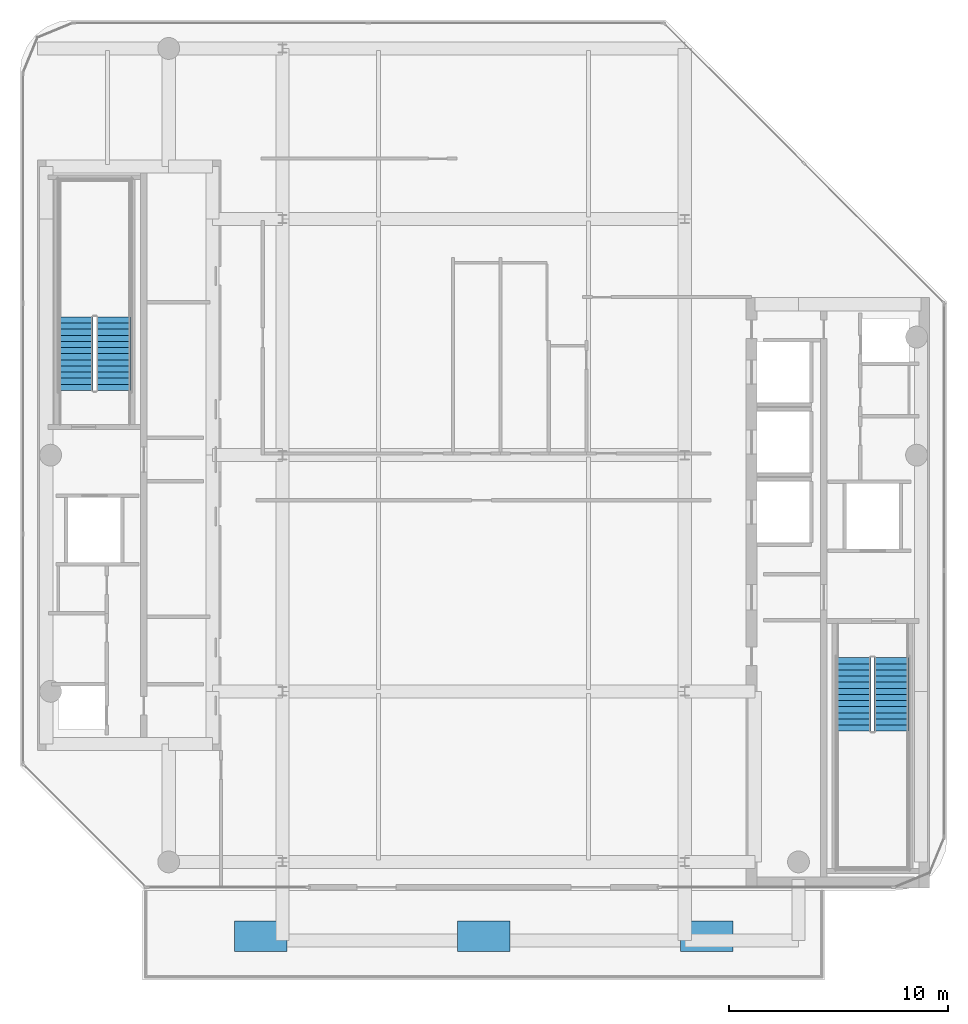
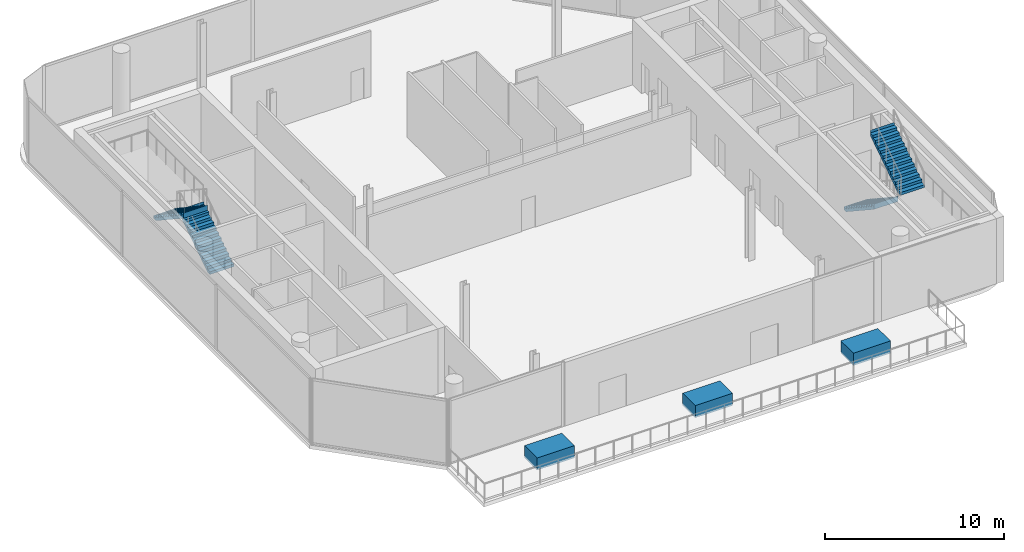
# One storey, part 6 of 14: 4 stair flights, 3 discrete accessories, 2 elements without a shape of their own.
"""IFC4 building model written with IfcOpenShell, lengths in metres."""

from ifc_helpers import new_model, si_unit, direction, frame, origin, origin_2d, place, context, subcontext, project, spatial, polyline, rectangle, outline, extrude, material, layer, layer_set, type_object, element, aggregate, save


model = new_model("IFC4")

# Units and contexts
model_context = context("Model", 3, precision=1e-05, world=origin(), true_north=direction((0.0, 1.0)))
body_context = subcontext(model_context, "Body", "Model", "MODEL_VIEW")
ifc_project = project(units=[si_unit("LENGTHUNIT", "METRE"), si_unit("AREAUNIT", "SQUARE_METRE"), si_unit("VOLUMEUNIT", "CUBIC_METRE"), si_unit("PLANEANGLEUNIT", "RADIAN"), si_unit("MASSUNIT", "GRAM", prefix="KILO")], contexts=[model_context])

# Site, building, storey
site_placement = place(None, origin())
site = spatial("IfcSite", under=ifc_project, at=site_placement, CompositionType="ELEMENT")
building_placement = place(site_placement, origin())
building = spatial("IfcBuilding", under=site, at=building_placement, Name="Khairoan Windgate Tower", CompositionType="ELEMENT")
storey_placement = place(building_placement, frame((0.0, 0.0, 320.39990234375)))
storey = spatial("IfcBuildingStorey", under=building, at=storey_placement, Name="L77", CompositionType="ELEMENT", Elevation=320.39990234375)

# Stair, stair flights
ifc_material_1 = material(Name="Concrete C40/50", Category="concrete")
stair_type = type_object("IfcStairType", Name="Tower Core Dog-Leg Stair ST-T1 1560mm", PredefinedType="HALF_TURN_STAIR", material=ifc_material_1)
stair_1_placement = place(storey_placement, origin())
stair_1 = element("IfcStair", 1, at=stair_1_placement, inside=storey, type_object=stair_type, Name="L77 Stair ST1", PredefinedType="HALF_TURN_STAIR")
ifc_material_2 = material(Name="Concrete C40/50", Category="concrete")
ifc_layer = layer(ifc_material_2, 0.14990234375, Name="Concrete C40/50")
ifc_layer_set = layer_set([ifc_layer], Name="Concrete C40/50")
stair_flight_type = type_object("IfcStairFlightType", Name="Tower Core Stair Flight STF-1560", PredefinedType="STRAIGHT", material=ifc_layer_set)
stair_flight_1_placement = place(storey_placement, frame((16.929931640625, -9.260009765625, 0.0), z_axis=(0.0, 0.0, 1.0), x_axis=(0.0, -1.0, 0.0)))
stair_flight_1 = element("IfcStairFlight", 2, at=stair_flight_1_placement, type_object=stair_flight_type, Name="ST1 flight 1", NumberOfRisers=13, NumberOfTreads=12, PredefinedType="STRAIGHT", RiserHeight=0.184615385, TreadLength=0.28, context=body_context, shape_type="SweptSolid", body=[
    extrude(outline(polyline([(-0.00390625, 0.0), (-0.00390625, 0.1845703125), (0.0, 0.1845703125), (0.280029296875, 0.1845703125), (0.280029296875, 0.369140625), (0.56005859375, 0.369140625), (0.56005859375, 0.553955078125), (0.840087890625, 0.553955078125), (0.840087890625, 0.738525390625), (1.1201171875, 0.738525390625), (1.1201171875, 0.923095703125), (1.39990234375, 0.923095703125), (1.39990234375, 1.107666015625), (1.679931640625, 1.107666015625), (1.679931640625, 1.292236328125), (1.9599609375, 1.292236328125), (1.9599609375, 1.476806640625), (2.239990234375, 1.476806640625), (2.239990234375, 1.66162109375), (2.52001953125, 1.66162109375), (2.52001953125, 1.84619140625), (2.800048828125, 1.84619140625), (2.800048828125, 2.03076171875), (3.080078125, 2.03076171875), (3.080078125, 2.21533203125), (3.360107421875, 2.21533203125), (3.360107421875, 2.39990234375), (3.364013671875, 2.39990234375), (3.364013671875, 2.035888671875), (0.272216796875, 0.0), (-0.00390625, 0.0)])), frame((0.0, 0.780029296875, 0.0), z_axis=(0.0, -1.0, 0.0), x_axis=(1.0, 0.0, 0.0)), (0.0, 0.0, 1.0), 1.56005859375),
])
stair_flight_2_placement = place(storey_placement, frame((18.639892578125, -12.6201171875, 2.400146484375), z_axis=(0.0, 0.0, 1.0), x_axis=(0.0, 1.0, 0.0)))
stair_flight_2 = element("IfcStairFlight", 3, at=stair_flight_2_placement, type_object=stair_flight_type, Name="ST1 flight 2", NumberOfRisers=13, NumberOfTreads=12, PredefinedType="STRAIGHT", RiserHeight=0.184615385, TreadLength=0.28, context=body_context, shape_type="SweptSolid", body=[
    extrude(outline(polyline([(-0.00390625, 0.0), (-0.00390625, 0.1845703125), (0.0, 0.1845703125), (0.280029296875, 0.1845703125), (0.280029296875, 0.369140625), (0.56005859375, 0.369140625), (0.56005859375, 0.553955078125), (0.840087890625, 0.553955078125), (0.840087890625, 0.738525390625), (1.1201171875, 0.738525390625), (1.1201171875, 0.923095703125), (1.39990234375, 0.923095703125), (1.39990234375, 1.107666015625), (1.679931640625, 1.107666015625), (1.679931640625, 1.292236328125), (1.9599609375, 1.292236328125), (1.9599609375, 1.476806640625), (2.239990234375, 1.476806640625), (2.239990234375, 1.66162109375), (2.52001953125, 1.66162109375), (2.52001953125, 1.84619140625), (2.800048828125, 1.84619140625), (2.800048828125, 2.03076171875), (3.080078125, 2.03076171875), (3.080078125, 2.21533203125), (3.360107421875, 2.21533203125), (3.360107421875, 2.39990234375), (3.364013671875, 2.39990234375), (3.364013671875, 2.035888671875), (0.272216796875, 0.0), (-0.00390625, 0.0)])), frame((0.0, 0.780029296875, 0.0), z_axis=(0.0, -1.0, 0.0), x_axis=(1.0, 0.0, 0.0)), (0.0, 0.0, 1.0), 1.56005859375),
])
aggregate(stair_1, [stair_flight_1, stair_flight_2])

stair_2_placement = place(storey_placement, origin())
stair_2 = element("IfcStair", 4, at=stair_2_placement, inside=storey, type_object=stair_type, Name="L77 Stair ST2", PredefinedType="HALF_TURN_STAIR")
stair_flight_3_placement = place(storey_placement, frame((-16.929931640625, 2.9599609375, 0.0), z_axis=(0.0, 0.0, 1.0), x_axis=(0.0, 1.0, 0.0)))
stair_flight_3 = element("IfcStairFlight", 5, at=stair_flight_3_placement, type_object=stair_flight_type, Name="ST2 flight 1", NumberOfRisers=13, NumberOfTreads=12, PredefinedType="STRAIGHT", RiserHeight=0.184615385, TreadLength=0.28, context=body_context, shape_type="SweptSolid", body=[
    extrude(outline(polyline([(-0.00390625, 0.0), (-0.00390625, 0.1845703125), (0.0, 0.1845703125), (0.280029296875, 0.1845703125), (0.280029296875, 0.369140625), (0.56005859375, 0.369140625), (0.56005859375, 0.553955078125), (0.840087890625, 0.553955078125), (0.840087890625, 0.738525390625), (1.1201171875, 0.738525390625), (1.1201171875, 0.923095703125), (1.39990234375, 0.923095703125), (1.39990234375, 1.107666015625), (1.679931640625, 1.107666015625), (1.679931640625, 1.292236328125), (1.9599609375, 1.292236328125), (1.9599609375, 1.476806640625), (2.239990234375, 1.476806640625), (2.239990234375, 1.66162109375), (2.52001953125, 1.66162109375), (2.52001953125, 1.84619140625), (2.800048828125, 1.84619140625), (2.800048828125, 2.03076171875), (3.080078125, 2.03076171875), (3.080078125, 2.21533203125), (3.360107421875, 2.21533203125), (3.360107421875, 2.39990234375), (3.364013671875, 2.39990234375), (3.364013671875, 2.035888671875), (0.272216796875, 0.0), (-0.00390625, 0.0)])), frame((0.0, 0.780029296875, 0.0), z_axis=(0.0, -1.0, 0.0), x_axis=(1.0, 0.0, 0.0)), (0.0, 0.0, 1.0), 1.56005859375),
])
stair_flight_4_placement = place(storey_placement, frame((-18.639892578125, 6.320068359375, 2.400146484375), z_axis=(0.0, 0.0, 1.0), x_axis=(0.0, -1.0, 0.0)))
stair_flight_4 = element("IfcStairFlight", 6, at=stair_flight_4_placement, type_object=stair_flight_type, Name="ST2 flight 2", NumberOfRisers=13, NumberOfTreads=12, PredefinedType="STRAIGHT", RiserHeight=0.184615385, TreadLength=0.28, context=body_context, shape_type="SweptSolid", body=[
    extrude(outline(polyline([(-0.00390625, 0.0), (-0.00390625, 0.1845703125), (0.0, 0.1845703125), (0.280029296875, 0.1845703125), (0.280029296875, 0.369140625), (0.56005859375, 0.369140625), (0.56005859375, 0.553955078125), (0.840087890625, 0.553955078125), (0.840087890625, 0.738525390625), (1.1201171875, 0.738525390625), (1.1201171875, 0.923095703125), (1.39990234375, 0.923095703125), (1.39990234375, 1.107666015625), (1.679931640625, 1.107666015625), (1.679931640625, 1.292236328125), (1.9599609375, 1.292236328125), (1.9599609375, 1.476806640625), (2.239990234375, 1.476806640625), (2.239990234375, 1.66162109375), (2.52001953125, 1.66162109375), (2.52001953125, 1.84619140625), (2.800048828125, 1.84619140625), (2.800048828125, 2.03076171875), (3.080078125, 2.03076171875), (3.080078125, 2.21533203125), (3.360107421875, 2.21533203125), (3.360107421875, 2.39990234375), (3.364013671875, 2.39990234375), (3.364013671875, 2.035888671875), (0.272216796875, 0.0), (-0.00390625, 0.0)])), frame((0.0, 0.780029296875, 0.0), z_axis=(0.0, -1.0, 0.0), x_axis=(1.0, 0.0, 0.0)), (0.0, 0.0, 1.0), 1.56005859375),
])
aggregate(stair_2, [stair_flight_3, stair_flight_4])

# Discrete accessories
ifc_material_3 = material(Name="Precast Concrete C40/50", Category="concrete")
discrete_accessory_type = type_object("IfcDiscreteAccessoryType", Name="Architectural Precast Terrace Planter Box PLN-1", PredefinedType="USERDEFINED", material=ifc_material_3)
for number, where, z_axis, x_axis, name in (
    (7, (-10.199951171875, -22.0, 0.0), (0.0, 0.0, 1.0), (0.0, 1.0, 0.0), "L77 Sky Observation Terrace Planter 01"),
    (8, (0.0, -22.0, 0.0), (0.0, 0.0, 1.0), (0.0, 1.0, 0.0), "L77 Sky Observation Terrace Planter 02"),
    (9, (10.199951171875, -22.0, 0.0), (0.0, 0.0, 1.0), (0.0, 1.0, 0.0), "L77 Sky Observation Terrace Planter 03"),
):
    element("IfcDiscreteAccessory", number, at=place(storey_placement, frame(where, z_axis=z_axis, x_axis=x_axis)), inside=storey, type_object=discrete_accessory_type, Name=name, ObjectType="PLANTER", PredefinedType="USERDEFINED", context=body_context, shape_type="SweptSolid", body=[
        extrude(rectangle(XDim=1.39990234375, YDim=2.39990234375, at=origin_2d()), origin(), (0.0, 0.0, 1.0), 0.840087890625),
    ])

save(model, "model.ifc")
